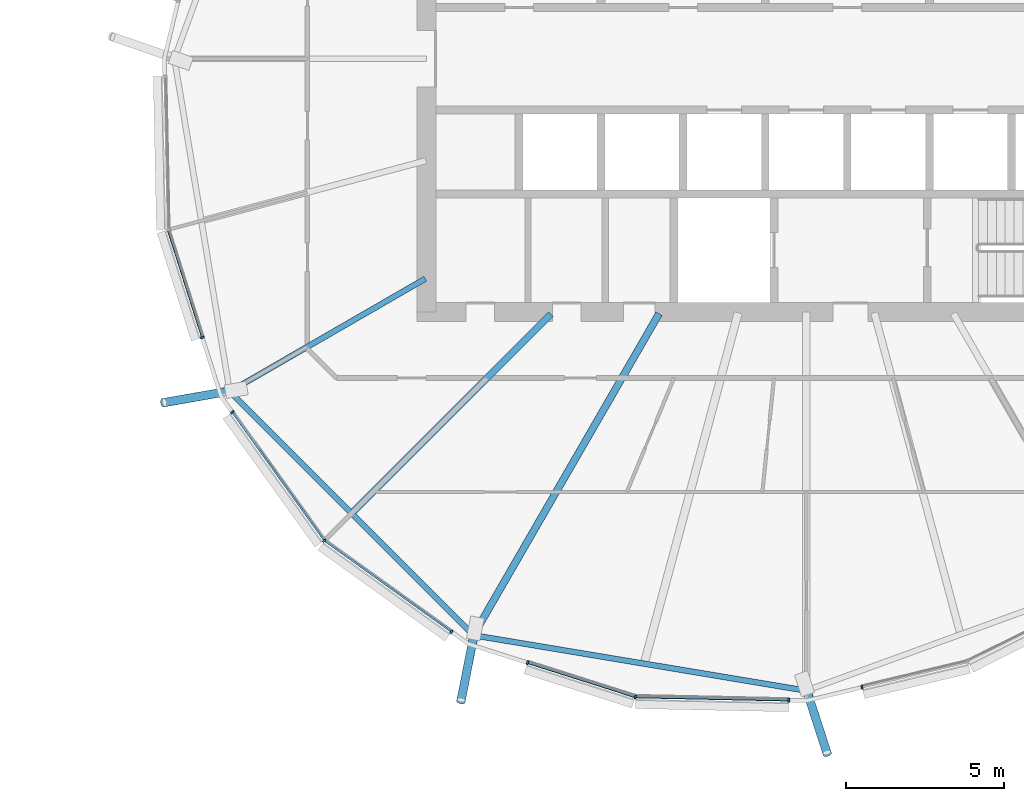
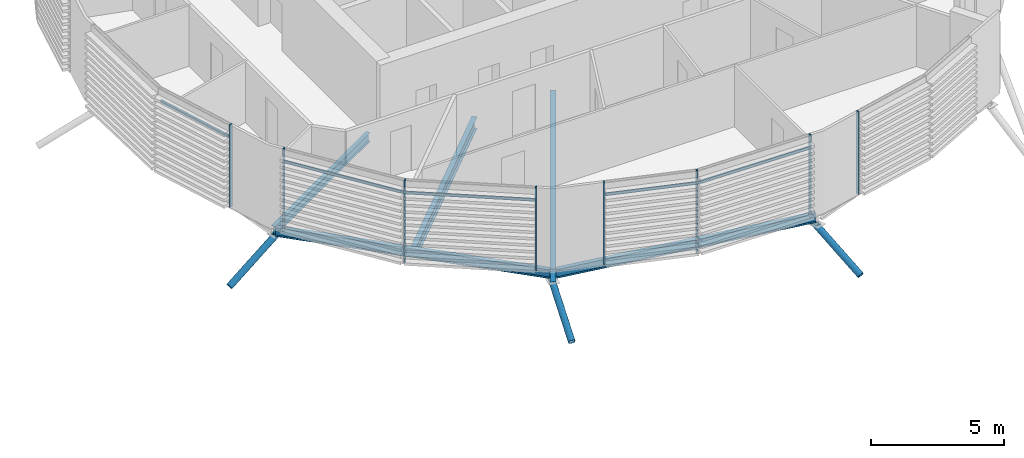
# One storey, part 11 of 35: 16 members, 5 beams, 1 element without a shape of its own.
"""IFC4 building model written with IfcOpenShell, lengths in metres."""

import ifcopenshell
import ifcopenshell.guid

model = None  # the IFC model being written
_history = None  # IfcOwnerHistory: only IFC2X3 demands one
_inside = {}  # id of a spatial element -> (the spatial element, [elements in it])
_under = {}  # id of a project, library or spatial element -> (it, [spatial elements below it])
_declared = {}  # id of a project -> (the project, [libraries it declares])
_typed = {}  # id of a type object -> (the type object, [elements of that type])
_made_of = {}  # id of a material, layer set ... -> (it, [elements and type objects made of it])


def new_model(schema):
    """Start an empty IFC model of exactly this schema.

    Asked for "IFC4X3", IfcOpenShell would pick the latest addendum, in which some entities
    have other attributes; the version numbers below select the first issue.
    IFC2X3 requires an IfcOwnerHistory on every rooted entity: one is made here for all.
    """
    global model, _history
    if schema == "IFC4X3":
        model = ifcopenshell.file(schema_version=(4, 3, 0, 0))
    else:
        model = ifcopenshell.file(schema=schema)
    _inside.clear()
    _under.clear()
    _declared.clear()
    _typed.clear()
    _made_of.clear()
    _history = None
    if model.schema == "IFC2X3":
        org = make("IfcOrganization", Name="unknown")
        user = make(
            "IfcPersonAndOrganization",
            ThePerson=make("IfcPerson", FamilyName="unknown"),
            TheOrganization=org,
        )
        app = make(
            "IfcApplication",
            ApplicationDeveloper=org,
            Version="unknown",
            ApplicationFullName="unknown",
            ApplicationIdentifier="unknown",
        )
        _history = make(
            "IfcOwnerHistory",
            OwningUser=user,
            OwningApplication=app,
            ChangeAction="ADDED",
            CreationDate=0,
        )
    return model


def make(cls, **values):
    """One entity of the class cls with the attributes given. An attribute that is None is left unset."""
    return model.create_entity(
        cls, **{name: value for name, value in values.items() if value is not None}
    )


def rooted(cls, **values):
    """An entity with a GlobalId (a new one), such as an element, a storey or a relation."""
    return make(cls, GlobalId=ifcopenshell.guid.new(), OwnerHistory=_history, **values)


def si_unit(unit_type, name, prefix=None):
    """IfcSIUnit, for example si_unit("LENGTHUNIT", "METRE", prefix="MILLI")."""
    return make("IfcSIUnit", UnitType=unit_type, Prefix=prefix, Name=name)


def assignment(units):
    """IfcUnitAssignment: the units of a project."""
    return None if units is None else make("IfcUnitAssignment", Units=units)


def point(xyz):
    """IfcCartesianPoint."""
    return None if xyz is None else make("IfcCartesianPoint", Coordinates=xyz)


def direction(xyz):
    """IfcDirection."""
    return None if xyz is None else make("IfcDirection", DirectionRatios=xyz)


def frame(location, z_axis=None, x_axis=None):
    """IfcAxis2Placement3D, a coordinate frame: its origin and axes. An axis left out is left unset."""
    return make(
        "IfcAxis2Placement3D",
        Location=point(location),
        Axis=direction(z_axis),
        RefDirection=direction(x_axis),
    )


def frame_2d(location, x_axis=None):
    """IfcAxis2Placement2D, a coordinate frame in the plane: its origin and x axis."""
    return make(
        "IfcAxis2Placement2D", Location=point(location), RefDirection=direction(x_axis)
    )


def origin():
    """The frame at (0, 0, 0) with its axes left unset."""
    return frame((0.0, 0.0, 0.0))


def origin_2d():
    """The frame at (0, 0) in the plane with its x axis left unset."""
    return frame_2d((0.0, 0.0))


def place(relative_to, where):
    """IfcLocalPlacement: puts the frame where relative to a parent placement (None: the world)."""
    return make(
        "IfcLocalPlacement", PlacementRelTo=relative_to, RelativePlacement=where
    )


def context(
    kind, dimensions, precision=None, world=None, true_north=None, identifier=None
):
    """IfcGeometricRepresentationContext, for example the 3D "Model" context."""
    return make(
        "IfcGeometricRepresentationContext",
        ContextIdentifier=identifier,
        ContextType=kind,
        CoordinateSpaceDimension=dimensions,
        Precision=precision,
        WorldCoordinateSystem=world,
        TrueNorth=true_north,
    )


def subcontext(parent, identifier, kind, view, scale=None):
    """IfcGeometricRepresentationSubContext, for example "Body" below "Model"."""
    return make(
        "IfcGeometricRepresentationSubContext",
        ContextIdentifier=identifier,
        ContextType=kind,
        ParentContext=parent,
        TargetScale=scale,
        TargetView=view,
    )


def project(units=None, contexts=None):
    """IfcProject with its units and contexts."""
    return rooted(
        "IfcProject",
        Name="project",
        RepresentationContexts=contexts,
        UnitsInContext=assignment(units),
    )


def spatial(cls, under=None, at=None, **own):
    """A site, building, storey or space (cls), placed at a placement, below another one or the project."""
    s = rooted(cls, ObjectPlacement=at, **own)
    if under is not None:
        _under.setdefault(under.id(), (under, []))[1].append(s)
    return s


def profile(cls, at=None, kind="AREA", **sizes):
    """A parametric profile (cls). Its sizes go by their IFC names, for example OverallWidth=200.0."""
    return make(cls, ProfileType=kind, Position=at, **sizes)


def rectangle(**sizes):
    """IfcRectangleProfileDef."""
    return profile("IfcRectangleProfileDef", **sizes)


def hollow_circle(**sizes):
    """IfcCircleHollowProfileDef."""
    return profile("IfcCircleHollowProfileDef", **sizes)


def i_section(**sizes):
    """IfcIShapeProfileDef."""
    return profile("IfcIShapeProfileDef", **sizes)


def extrude(swept, where, along, depth):
    """IfcExtrudedAreaSolid: the profile swept, set in the frame where, extruded along a direction by depth."""
    return make(
        "IfcExtrudedAreaSolid",
        SweptArea=swept,
        Position=where,
        ExtrudedDirection=direction(along),
        Depth=depth,
    )


def clip(a, b, op="DIFFERENCE"):
    """IfcBooleanClippingResult: the solid a cut by the half space b."""
    return make(
        "IfcBooleanClippingResult", Operator=op, FirstOperand=a, SecondOperand=b
    )


def halfspace(plane, agree):
    """IfcHalfSpaceSolid: all space on one side of the plane z = 0 of the frame plane."""
    return make(
        "IfcHalfSpaceSolid",
        BaseSurface=make("IfcPlane", Position=plane),
        AgreementFlag=agree,
    )


def shape(context_of_items, identifier, shape_type, items):
    """IfcShapeRepresentation: the items that make up one representation, for example the "Body"."""
    return make(
        "IfcShapeRepresentation",
        ContextOfItems=context_of_items,
        RepresentationIdentifier=identifier,
        RepresentationType=shape_type,
        Items=items,
    )


def material(Name=None, Category=None):
    """IfcMaterial."""
    return make("IfcMaterial", Name=Name, Category=Category)


def material_profile(
    of_material, cross_section, Name=None, Category=None, Priority=None
):
    """IfcMaterialProfile: a cross section and its material."""
    return make(
        "IfcMaterialProfile",
        Name=Name,
        Material=of_material,
        Profile=cross_section,
        Priority=Priority,
        Category=Category,
    )


def profile_set(profiles, Name=None, composite=None):
    """IfcMaterialProfileSet."""
    return make(
        "IfcMaterialProfileSet",
        Name=Name,
        MaterialProfiles=profiles,
        CompositeProfile=composite,
    )


def made_of(thing, what):
    """Note that an element or type object is made of a material, layer set ...; save() writes the relation."""
    if what is not None:
        _made_of.setdefault(what.id(), (what, []))[1].append(thing)
    return thing


def type_object(cls, material=None, **own):
    """A type object (cls), such as IfcWallType, which elements share."""
    return made_of(rooted(cls, **own), material)


def element(
    cls,
    number,
    at=None,
    inside=None,
    cuts=None,
    type_object=None,
    material=None,
    context=None,
    identifier="Body",
    shape_type=None,
    held_by="IfcProductDefinitionShape",
    body=None,
    shapes=None,
    **own,
):
    """One element of the class cls, such as IfcWall. Its Tag is "e" and its number.

    at: its placement. inside: the storey or other place that contains it. cuts: it is an
    opening in that element (IfcRelVoidsElement). A single representation is given by context,
    identifier, shape_type and body (its items); several are given by shapes. held_by: the class
    of the entity that holds the representations. save() writes the other relations.
    """
    e = rooted(cls, Tag="e%d" % number, ObjectPlacement=at, **own)
    if body is not None:
        shapes = [shape(context, identifier, shape_type, body)]
    if shapes is not None:
        e.Representation = make(held_by, Representations=shapes)
    if inside is not None:
        _inside.setdefault(inside.id(), (inside, []))[1].append(e)
    if cuts is not None:
        rooted(
            "IfcRelVoidsElement", RelatingBuildingElement=cuts, RelatedOpeningElement=e
        )
    if type_object is not None:
        _typed.setdefault(type_object.id(), (type_object, []))[1].append(e)
    return made_of(e, material)


def aggregate(whole, parts):
    """IfcRelAggregates: a whole, such as a stair, and the parts it consists of."""
    return rooted("IfcRelAggregates", RelatingObject=whole, RelatedObjects=parts)


def save(model, path):
    """Write the relations noted so far, then the file.

    IfcRelAggregates (storeys below a building ...), IfcRelContainedInSpatialStructure (elements
    in a storey), IfcRelDefinesByType, IfcRelAssociatesMaterial and IfcRelDeclares: one each for
    every whole, place, type object, material and project.
    """
    for whole, parts in _under.values():
        aggregate(whole, parts)
    for where, things in _inside.values():
        rooted(
            "IfcRelContainedInSpatialStructure",
            RelatedElements=things,
            RelatingStructure=where,
        )
    for kind, things in _typed.values():
        rooted("IfcRelDefinesByType", RelatedObjects=things, RelatingType=kind)
    for what, things in _made_of.values():
        rooted("IfcRelAssociatesMaterial", RelatedObjects=things, RelatingMaterial=what)
    for by, libraries in _declared.values():
        rooted("IfcRelDeclares", RelatingContext=by, RelatedDefinitions=libraries)
    model.write(path)


model = new_model("IFC4")

# Units and contexts
model_context = context("Model", 3, precision=1e-05, world=origin(), true_north=direction((0.0, 1.0)))
body_context = subcontext(model_context, "Body", "Model", "MODEL_VIEW")
ifc_project = project(units=[si_unit("LENGTHUNIT", "METRE"), si_unit("AREAUNIT", "SQUARE_METRE"), si_unit("VOLUMEUNIT", "CUBIC_METRE"), si_unit("PLANEANGLEUNIT", "RADIAN"), si_unit("MASSUNIT", "GRAM", prefix="KILO")], contexts=[model_context])

# Site, building, storey
site_placement = place(None, origin())
site = spatial("IfcSite", under=ifc_project, at=site_placement, CompositionType="ELEMENT")
building_placement = place(site_placement, origin())
building = spatial("IfcBuilding", under=site, at=building_placement, Name="Rimbun Link Towers", CompositionType="ELEMENT")
storey_placement = place(building_placement, frame((0.0, 0.0, 196.89990234375)))
storey = spatial("IfcBuildingStorey", under=building, at=storey_placement, Name="L48", CompositionType="ELEMENT", Elevation=196.89990234375)

# Curtain wall, members
ifc_material_1 = material(Name="Aluminium 6063-T6 and low-iron glass", Category="aluminium")
curtain_wall_type = type_object("IfcCurtainWallType", Name="CW1-Z3 unitised vision wall (zone 3)", PredefinedType="NOTDEFINED", material=ifc_material_1)
curtain_wall_placement = place(storey_placement, origin())
curtain_wall = element("IfcCurtainWall", 1, at=curtain_wall_placement, inside=storey, type_object=curtain_wall_type, Name="CW1 L48 T2", PredefinedType="NOTDEFINED")
ifc_material_2 = material(Name="Aluminium 6063-T6", Category="aluminium")
ifc_material_profile_1 = material_profile(ifc_material_2, rectangle(XDim=0.1201171875, YDim=0.06005859375, at=origin_2d()), Name="MULLION 60X120")
ifc_profile_set_1 = profile_set([ifc_material_profile_1], Name="Aluminium 6063-T6")
member_type_1 = type_object("IfcMemberType", Name="CW1 mullion 60X120", PredefinedType="MULLION", material=ifc_profile_set_1)
member_1_placement = place(storey_placement, frame((12.653076171875, -8.811279296875, 0.0), z_axis=(0.0, 0.0, 1.0), x_axis=(-0.952967886603, -0.303071290464, 0.0)))
member_1 = element("IfcMember", 2, at=member_1_placement, type_object=member_type_1, Name="CW1 mullion", PredefinedType="MULLION", context=body_context, shape_type="SweptSolid", body=[
    extrude(rectangle(XDim=0.1201171875, YDim=0.06005859375, at=origin_2d()), origin(), (0.0, 0.0, 1.0), 3.800048828125),
])
member_2_placement = place(storey_placement, frame((16.516357421875, -15.233642578125, 0.0), z_axis=(0.0, 0.0, 1.0), x_axis=(-0.707106781187, -0.707106781187, 0.0)))
member_2 = element("IfcMember", 3, at=member_2_placement, type_object=member_type_1, Name="CW1 mullion", PredefinedType="MULLION", context=body_context, shape_type="SweptSolid", body=[
    extrude(rectangle(XDim=0.1201171875, YDim=0.06005859375, at=origin_2d()), origin(), (0.0, 0.0, 1.0), 3.800048828125),
])
member_3_placement = place(storey_placement, frame((13.602294921875, -11.173828125, 0.0), z_axis=(0.0, 0.0, 1.0), x_axis=(-0.81246545613, -0.583009333198, 0.0)))
member_3 = element("IfcMember", 4, at=member_3_placement, type_object=member_type_1, Name="CW1 mullion", PredefinedType="MULLION", context=body_context, shape_type="SweptSolid", body=[
    extrude(rectangle(XDim=0.1201171875, YDim=0.06005859375, at=origin_2d()), origin(), (0.0, 0.0, 1.0), 3.800048828125),
])
member_4_placement = place(storey_placement, frame((20.535400390625, -18.118408203125, 0.0), z_axis=(0.0, 0.0, 1.0), x_axis=(-0.583009333198, -0.81246545613, 0.0)))
member_4 = element("IfcMember", 5, at=member_4_placement, type_object=member_type_1, Name="CW1 mullion", PredefinedType="MULLION", context=body_context, shape_type="SweptSolid", body=[
    extrude(rectangle(XDim=0.1201171875, YDim=0.06005859375, at=origin_2d()), origin(), (0.0, 0.0, 1.0), 3.800048828125),
])
member_5_placement = place(storey_placement, frame((26.3486328125, -20.1806640625, 0.0), z_axis=(0.0, 0.0, 1.0), x_axis=(-0.16374971191, -0.9865019168, 0.0)))
member_5 = element("IfcMember", 6, at=member_5_placement, type_object=member_type_1, Name="CW1 mullion", PredefinedType="MULLION", context=body_context, shape_type="SweptSolid", body=[
    extrude(rectangle(XDim=0.1201171875, YDim=0.06005859375, at=origin_2d()), origin(), (0.0, 0.0, 1.0), 3.800048828125),
])
member_6_placement = place(storey_placement, frame((22.938720703125, -19.096923828125, 0.0), z_axis=(0.0, 0.0, 1.0), x_axis=(-0.303071290464, -0.952967886603, 0.0)))
member_6 = element("IfcMember", 7, at=member_6_placement, type_object=member_type_1, Name="CW1 mullion", PredefinedType="MULLION", context=body_context, shape_type="SweptSolid", body=[
    extrude(rectangle(XDim=0.1201171875, YDim=0.06005859375, at=origin_2d()), origin(), (0.0, 0.0, 1.0), 3.800048828125),
])
member_7_placement = place(storey_placement, frame((31.198974609375, -20.283447265625, 0.0), z_axis=(0.0, 0.0, 1.0), x_axis=(-0.021065527565, -0.999778097154, 0.0)))
member_7 = element("IfcMember", 8, at=member_7_placement, type_object=member_type_1, Name="CW1 mullion", PredefinedType="MULLION", context=body_context, shape_type="SweptSolid", body=[
    extrude(rectangle(XDim=0.1201171875, YDim=0.06005859375, at=origin_2d()), origin(), (0.0, 0.0, 1.0), 3.800048828125),
])
member_8_placement = place(storey_placement, frame((33.5146484375, -19.874755859375, 0.0), z_axis=(0.0, 0.0, 1.0), x_axis=(0.23261560244, -0.972568754126, 0.0)))
member_8 = element("IfcMember", 9, at=member_8_placement, type_object=member_type_1, Name="CW1 mullion", PredefinedType="MULLION", context=body_context, shape_type="SweptSolid", body=[
    extrude(rectangle(XDim=0.1201171875, YDim=0.06005859375, at=origin_2d()), origin(), (0.0, 0.0, 1.0), 3.800048828125),
])
ifc_material_3 = material(Name="Aluminium 6063-T6", Category="aluminium")
ifc_material_profile_2 = material_profile(ifc_material_3, rectangle(XDim=0.06005859375, YDim=0.1201171875, at=origin_2d()), Name="TRANSOM 60X120")
ifc_profile_set_2 = profile_set([ifc_material_profile_2], Name="Aluminium 6063-T6")
member_type_2 = type_object("IfcMemberType", Name="CW1 transom 60X120", PredefinedType="USERDEFINED", material=ifc_profile_set_2)
member_9_placement = place(storey_placement, frame((12.64599609375, -8.781982421875, 3.2001953125), z_axis=(-0.303111767468, 0.952955012801, 0.0), x_axis=(-0.952955012801, -0.303111767468, 0.0)))
member_9 = element("IfcMember", 10, at=member_9_placement, type_object=member_type_2, Name="CW1 transom", ObjectType="TRANSOM", PredefinedType="USERDEFINED", context=body_context, shape_type="SweptSolid", body=[
    extrude(rectangle(XDim=0.06005859375, YDim=0.1201171875, at=origin_2d()), origin(), (0.0, 0.0, 1.0), 3.50927734375),
])
member_10_placement = place(storey_placement, frame((16.494384765625, -15.200439453125, 3.2001953125), z_axis=(-0.583013116195, 0.812462741512, 0.0), x_axis=(-0.812462741512, -0.583013116195, 0.0)))
member_10 = element("IfcMember", 11, at=member_10_placement, type_object=member_type_2, Name="CW1 transom", ObjectType="TRANSOM", PredefinedType="USERDEFINED", context=body_context, shape_type="SweptSolid", body=[
    extrude(rectangle(XDim=0.06005859375, YDim=0.1201171875, at=origin_2d()), origin(), (0.0, 0.0, 1.0), 4.927490234375),
])
member_11_placement = place(storey_placement, frame((20.51220703125, -18.099365234375, 3.2001953125), z_axis=(-0.812442893162, 0.583040775032, 0.0), x_axis=(-0.583040775032, -0.812442893162, 0.0)))
member_11 = element("IfcMember", 12, at=member_11_placement, type_object=member_type_2, Name="CW1 transom", ObjectType="TRANSOM", PredefinedType="USERDEFINED", context=body_context, shape_type="SweptSolid", body=[
    extrude(rectangle(XDim=0.06005859375, YDim=0.1201171875, at=origin_2d()), origin(), (0.0, 0.0, 1.0), 4.87744140625),
])
member_12_placement = place(storey_placement, frame((26.312255859375, -20.167724609375, 3.2001953125), z_axis=(-0.952955012801, 0.303111767468, 0.0), x_axis=(-0.303111767468, -0.952955012801, 0.0)))
member_12 = element("IfcMember", 13, at=member_12_placement, type_object=member_type_2, Name="CW1 transom", ObjectType="TRANSOM", PredefinedType="USERDEFINED", context=body_context, shape_type="SweptSolid", body=[
    extrude(rectangle(XDim=0.06005859375, YDim=0.1201171875, at=origin_2d()), origin(), (0.0, 0.0, 1.0), 3.50927734375),
])
member_13_placement = place(storey_placement, frame((31.1689453125, -20.28076171875, 3.2001953125), z_axis=(-0.999778828666, 0.021030781038, 0.0), x_axis=(-0.021030781038, -0.999778828666, 0.0)))
member_13 = element("IfcMember", 14, at=member_13_placement, type_object=member_type_2, Name="CW1 transom", ObjectType="TRANSOM", PredefinedType="USERDEFINED", context=body_context, shape_type="SweptSolid", body=[
    extrude(rectangle(XDim=0.06005859375, YDim=0.1201171875, at=origin_2d()), origin(), (0.0, 0.0, 1.0), 4.78271484375),
])
aggregate(curtain_wall, [member_1, member_2, member_3, member_4, member_5, member_6, member_7, member_8, member_9, member_10, member_11, member_12, member_13])

# Members
ifc_material_4 = material(Name="Steel S355J2H", Category="steel")
ifc_material_profile_3 = material_profile(ifc_material_4, hollow_circle(Radius=0.136474609375, WallThickness=0.012451171875, at=origin_2d()), Name="CHS 273x12.5")
ifc_profile_set_3 = profile_set([ifc_material_profile_3], Name="Steel S355J2H")
member_type_3 = type_object("IfcMemberType", Name="Floor edge link CHS 273x12.5", PredefinedType="BRACE", material=ifc_profile_set_3)
member_14_placement = place(storey_placement, frame((13.566162109375, -10.498291015625, -0.67333984375), z_axis=(-0.847292780483, -0.148947169782, -0.509813382284), x_axis=(0.173137002689, -0.984897750175, 0.0)))
element("IfcMember", 15, at=member_14_placement, inside=storey, type_object=member_type_3, Name="Floor edge link T2 L48 11", PredefinedType="BRACE", context=body_context, shape_type="Clipping", body=[
    clip(extrude(hollow_circle(Radius=0.136474609375, WallThickness=0.012451171875, at=origin_2d()), frame((0.0, 0.0, -0.480224609375)), (0.0, 0.0, 1.0), 3.02734375), halfspace(frame((0.0, 0.0, -0.2255859375), z_axis=(0.0, 0.860285019772, -0.509813382284)), False)),
])
member_15_placement = place(storey_placement, frame((21.251708984375, -18.183837890625, -0.87158203125), z_axis=(-0.169483852857, -0.858268576665, -0.484407136539), x_axis=(0.981054754116, -0.19373066207, 0.0)))
element("IfcMember", 16, at=member_15_placement, inside=storey, type_object=member_type_3, Name="Floor edge link T2 L48 13", PredefinedType="BRACE", context=body_context, shape_type="Clipping", body=[
    clip(extrude(hollow_circle(Radius=0.136474609375, WallThickness=0.012451171875, at=origin_2d()), frame((0.0, 0.0, -0.513671875)), (0.0, 0.0, 1.0), 3.011474609375), halfspace(frame((0.0, 0.0, -0.24169921875), z_axis=(0.0, 0.87484268647, -0.484407136539)), False)),
])
member_16_placement = place(storey_placement, frame((31.75, -19.927978515625, -0.871337890625), z_axis=(0.269625616817, -0.830927284246, -0.486684574495), x_axis=(0.951177227967, 0.308645234854, 0.0)))
element("IfcMember", 17, at=member_16_placement, inside=storey, type_object=member_type_3, Name="Floor edge link T2 L48 15", PredefinedType="BRACE", context=body_context, shape_type="Clipping", body=[
    clip(extrude(hollow_circle(Radius=0.136474609375, WallThickness=0.012451171875, at=origin_2d()), frame((0.0, 0.0, -0.510498046875)), (0.0, 0.0, 1.0), 2.99072265625), halfspace(frame((0.0, 0.0, -0.239990234375), z_axis=(0.0, 0.873577772696, -0.486684574495)), False)),
])

# Beams
ifc_material_5 = material(Name="Steel S355J2", Category="steel")
ifc_material_profile_4 = material_profile(ifc_material_5, i_section(OverallWidth=0.177978515625, OverallDepth=0.406494140625, WebThickness=0.0078125, FlangeThickness=0.0126953125, at=origin_2d()), Name="UB 406x178x60")
ifc_profile_set_4 = profile_set([ifc_material_profile_4], Name="Steel S355J2")
beam_type_1 = type_object("IfcBeamType", Name="UB 406x178x60", PredefinedType="BEAM", material=ifc_profile_set_4)
beam_1_placement = place(storey_placement, frame((19.70458984375, -6.954345703125, -0.35302734375), z_axis=(-0.866018129108, -0.500012599898, 0.0), x_axis=(0.500012599898, -0.866018129108, 0.0)))
element("IfcBeam", 18, at=beam_1_placement, inside=storey, type_object=beam_type_1, Name="Radial beam T2 L48 11", PredefinedType="BEAM", context=body_context, shape_type="SweptSolid", body=[
    extrude(i_section(OverallWidth=0.177978515625, OverallDepth=0.406494140625, WebThickness=0.0078125, FlangeThickness=0.0126953125, at=origin_2d()), origin(), (0.0, 0.0, 1.0), 7.137939453125),
])
beam_2_placement = place(storey_placement, frame((13.5888671875, -10.589111328125, -0.35302734375), z_axis=(0.707095354214, -0.707118207975, 0.0), x_axis=(0.707118207975, 0.707095354214, 0.0)))
element("IfcBeam", 19, at=beam_2_placement, inside=storey, type_object=beam_type_1, Name="Edge beam T2 L48 11-13", PredefinedType="BEAM", context=body_context, shape_type="SweptSolid", body=[
    extrude(i_section(OverallWidth=0.177978515625, OverallDepth=0.406494140625, WebThickness=0.0078125, FlangeThickness=0.0126953125, at=origin_2d()), origin(), (0.0, 0.0, 1.0), 10.6826171875),
])
beam_3_placement = place(storey_placement, frame((21.347412109375, -18.247314453125, -0.35302734375), z_axis=(0.986440070616, -0.164121866563, 0.0), x_axis=(0.164121866563, 0.986440070616, 0.0)))
element("IfcBeam", 20, at=beam_3_placement, inside=storey, type_object=beam_type_1, Name="Edge beam T2 L48 13-15", PredefinedType="BEAM", context=body_context, shape_type="SweptSolid", body=[
    extrude(i_section(OverallWidth=0.177978515625, OverallDepth=0.406494140625, WebThickness=0.0078125, FlangeThickness=0.0126953125, at=origin_2d()), origin(), (0.0, 0.0, 1.0), 10.42919921875),
])
ifc_material_6 = material(Name="Steel S355J2", Category="steel")
ifc_material_profile_5 = material_profile(ifc_material_6, i_section(OverallWidth=0.209228515625, OverallDepth=0.533203125, WebThickness=0.010009765625, FlangeThickness=0.015625, at=origin_2d()), Name="UB 533x210x92")
ifc_profile_set_5 = profile_set([ifc_material_profile_5], Name="Steel S355J2")
beam_type_2 = type_object("IfcBeamType", Name="UB 533x210x92", PredefinedType="BEAM", material=ifc_profile_set_5)
beam_4_placement = place(storey_placement, frame((23.67529296875, -8.07470703125, -0.41650390625), z_axis=(-0.707106781187, -0.707106781187, 0.0), x_axis=(0.707106781187, -0.707106781187, 0.0)))
element("IfcBeam", 21, at=beam_4_placement, inside=storey, type_object=beam_type_2, Name="Radial beam T2 L48 12", PredefinedType="BEAM", context=body_context, shape_type="SweptSolid", body=[
    extrude(i_section(OverallWidth=0.209228515625, OverallDepth=0.533203125, WebThickness=0.010009765625, FlangeThickness=0.015625, at=origin_2d()), origin(), (0.0, 0.0, 1.0), 8.820068359375),
])
ifc_material_7 = material(Name="Steel S355J2", Category="steel")
ifc_material_profile_6 = material_profile(ifc_material_7, i_section(OverallWidth=0.2275390625, OverallDepth=0.6025390625, WebThickness=0.010498046875, FlangeThickness=0.014892578125, at=origin_2d()), Name="UB 610x229x101")
ifc_profile_set_6 = profile_set([ifc_material_profile_6], Name="Steel S355J2")
beam_type_3 = type_object("IfcBeamType", Name="UB 610x229x101", PredefinedType="BEAM", material=ifc_profile_set_6)
beam_5_placement = place(storey_placement, frame((27.097900390625, -8.057861328125, -0.451171875), z_axis=(-0.500009811963, -0.866019738771, 0.0), x_axis=(0.866019738771, -0.500009811963, 0.0)))
element("IfcBeam", 22, at=beam_5_placement, inside=storey, type_object=beam_type_3, Name="Radial beam T2 L48 13", PredefinedType="BEAM", context=body_context, shape_type="SweptSolid", body=[
    extrude(i_section(OverallWidth=0.2275390625, OverallDepth=0.6025390625, WebThickness=0.010498046875, FlangeThickness=0.014892578125, at=origin_2d()), origin(), (0.0, 0.0, 1.0), 11.742431640625),
])

save(model, "model.ifc")
